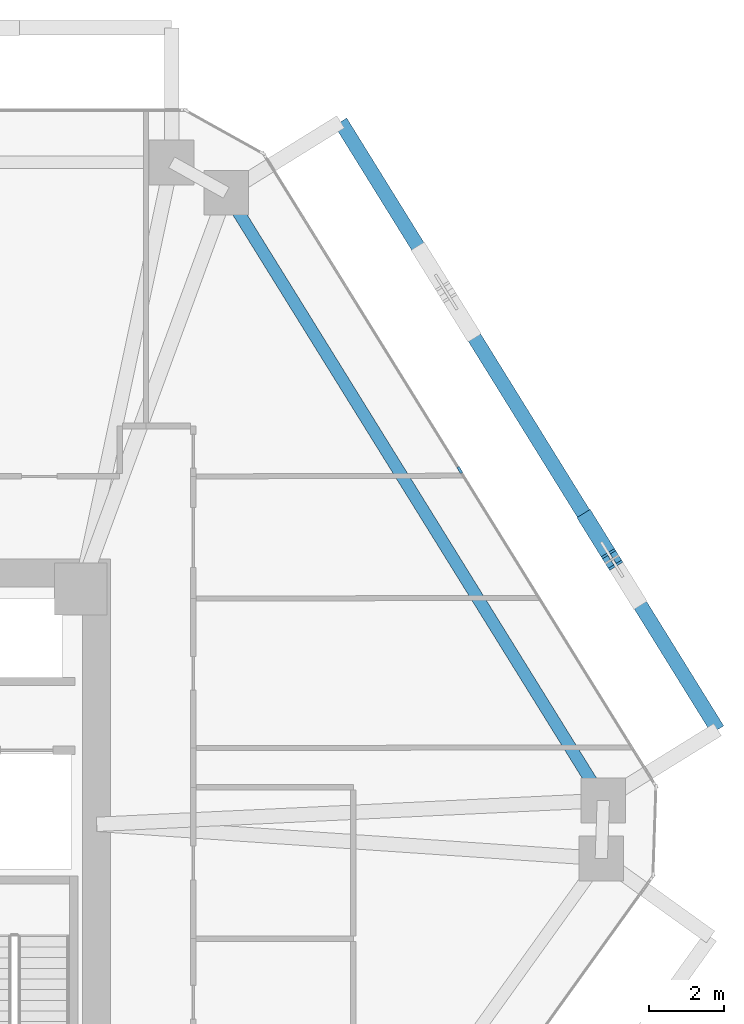
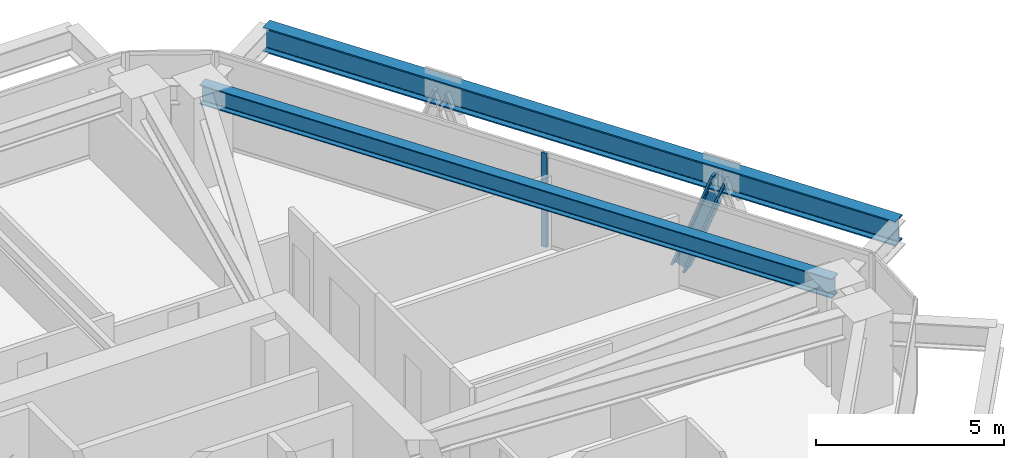
# One storey, part 6 of 16: 2 beams, 2 members, 1 element without a shape of its own.
"""IFC4 building model written with IfcOpenShell, lengths in metres."""

from ifc_helpers import new_model, si_unit, direction, frame, origin, origin_2d, place, context, subcontext, project, spatial, rectangle, i_section, extrude, source, transform, mapped, material, layer, layer_set, material_profile, profile_set, type_object, type_shapes, element, aggregate, save


model = new_model("IFC4")

# Units and contexts
model_context = context("Model", 3, precision=1e-05, world=origin(), true_north=direction((0.0, 1.0)))
body_context = subcontext(model_context, "Body", "Model", "MODEL_VIEW")
ifc_project = project(units=[si_unit("LENGTHUNIT", "METRE"), si_unit("AREAUNIT", "SQUARE_METRE"), si_unit("VOLUMEUNIT", "CUBIC_METRE"), si_unit("PLANEANGLEUNIT", "RADIAN"), si_unit("MASSUNIT", "GRAM", prefix="KILO")], contexts=[model_context])

# Site, building, storey
site_placement = place(None, origin())
site = spatial("IfcSite", under=ifc_project, at=site_placement, CompositionType="ELEMENT")
building_placement = place(site_placement, origin())
building = spatial("IfcBuilding", under=site, at=building_placement, Name="Durnholm Broadcast Tower", CompositionType="ELEMENT")
storey_placement = place(building_placement, frame((0.0, 0.0, 130.5)))
storey = spatial("IfcBuildingStorey", under=building, at=storey_placement, Name="L35", CompositionType="ELEMENT", Elevation=130.5)

# Beams
ifc_material_1 = material(Name="Steel ASTM A992 Grade 50", Category="steel")
ifc_material_profile_1 = material_profile(ifc_material_1, i_section(OverallWidth=0.3291015625, OverallDepth=0.635009765625, WebThickness=0.017822265625, FlangeThickness=0.031005859375, FilletRadius=0.02783203125, at=origin_2d()), Name="W24X162")
ifc_profile_set_1 = profile_set([ifc_material_profile_1], Name="Steel ASTM A992 Grade 50")
beam_type_1 = type_object("IfcBeamType", Name="STL-SP-W24X162", PredefinedType="SPANDREL", material=ifc_profile_set_1)
shared_shape_1 = source(origin(), body_context, "Body", "SweptSolid", [
    extrude(i_section(OverallWidth=0.3291015625, OverallDepth=0.635009765625, WebThickness=0.017822265625, FlangeThickness=0.031005859375, FilletRadius=0.02783203125, at=origin_2d()), origin(), (0.0, 0.0, 1.0), 19.139404296875),
])
type_shapes(beam_type_1, [shared_shape_1])
beam_1_placement = place(storey_placement, frame((13.692138671875, 18.4013671875, 2.7275390625), z_axis=(0.527111038734, -0.84979641847, 0.0), x_axis=(0.84979641847, 0.527111038734, 0.0)))
element("IfcBeam", 1, at=beam_1_placement, inside=storey, type_object=beam_type_1, Name="L35 perimeter spandrel girder 07", PredefinedType="SPANDREL", context=body_context, shape_type="MappedRepresentation", body=[
    mapped(shared_shape_1, transform((0.0, 0.0, 0.0), x_axis=(1.0, 0.0, 0.0), y_axis=(0.0, 1.0, 0.0), z_axis=(0.0, 0.0, 1.0), scale=1.0)),
])
ifc_material_profile_2 = material_profile(ifc_material_1, i_section(OverallWidth=0.385009765625, OverallDepth=0.802978515625, WebThickness=0.023681640625, FlangeThickness=0.0419921875, FilletRadius=0.032958984375, at=origin_2d()), Name="W30X261")
ifc_profile_set_2 = profile_set([ifc_material_profile_2], Name="Steel ASTM A992 Grade 50")
beam_type_2 = type_object("IfcBeamType", Name="BM-EXO-TIE", PredefinedType="USERDEFINED", material=ifc_profile_set_2)
shared_shape_2 = source(origin(), body_context, "Body", "SweptSolid", [
    extrude(i_section(OverallWidth=0.385009765625, OverallDepth=0.802978515625, WebThickness=0.023681640625, FlangeThickness=0.0419921875, FilletRadius=0.032958984375, at=origin_2d()), origin(), (0.0, 0.0, 1.0), 19.139404296875),
])
type_shapes(beam_type_2, [shared_shape_2])
beam_2_placement = place(storey_placement, frame((26.840087890625, 4.0341796875, 2.30859375), z_axis=(-0.527111038734, 0.84979641847, 0.0), x_axis=(-0.84979641847, -0.527111038734, 0.0)))
element("IfcBeam", 2, at=beam_2_placement, inside=storey, type_object=beam_type_2, Name="L35 exoskeleton collector spandrel F3", PredefinedType="SPANDREL", context=body_context, shape_type="MappedRepresentation", body=[
    mapped(shared_shape_2, transform((0.0, 0.0, 0.0), x_axis=(1.0, 0.0, 0.0), y_axis=(0.0, 1.0, 0.0), z_axis=(0.0, 0.0, 1.0), scale=1.0)),
])

# Member
ifc_material_2 = material(Name="Steel ASTM A913 Grade 65", Category="steel")
ifc_material_profile_3 = material_profile(ifc_material_2, i_section(OverallWidth=0.41845703125, OverallDepth=0.455078125, WebThickness=0.0419921875, FlangeThickness=0.067626953125, FilletRadius=0.030517578125, at=origin_2d()), Name="W14X370")
ifc_profile_set_3 = profile_set([ifc_material_profile_3], Name="Steel ASTM A913 Grade 65")
member_type_1 = type_object("IfcMemberType", Name="STL-DG-W14X370", PredefinedType="BRACE", material=ifc_profile_set_3)
shared_shape_3 = source(origin(), body_context, "Body", "SweptSolid", [
    extrude(i_section(OverallWidth=0.41845703125, OverallDepth=0.455078125, WebThickness=0.0419921875, FlangeThickness=0.067626953125, FilletRadius=0.030517578125, at=origin_2d()), origin(), (0.0, 0.0, 1.0), 3.523193359375),
])
type_shapes(member_type_1, [shared_shape_3])
member_1_placement = place(storey_placement, frame((23.36474609375, 9.63671875, -0.991455078125), z_axis=(0.184606642766, -0.297560406921, 0.936684681032), x_axis=(0.849750220063, 0.527185511469, 0.0)))
element("IfcMember", 3, at=member_1_placement, inside=storey, type_object=member_type_1, Name="L35 stand-off diagrid brace F3.D1.2", PredefinedType="BRACE", context=body_context, shape_type="MappedRepresentation", body=[
    mapped(shared_shape_3, transform((0.0, 0.0, 0.0), x_axis=(1.0, 0.0, 0.0), y_axis=(0.0, 1.0, 0.0), z_axis=(0.0, 0.0, 1.0), scale=1.0)),
])

# Curtain wall, member
ifc_material_3 = material(Name="Aluminium and Solar Control IGU", Category="aluminium")
ifc_layer = layer(ifc_material_3, 0.18994140625)
ifc_layer_set = layer_set([ifc_layer], Name="Aluminium and Solar Control IGU")
curtain_wall_type = type_object("IfcCurtainWallType", Name="CW-SYS-3", PredefinedType="NOTDEFINED", material=ifc_layer_set)
curtain_wall_placement = place(storey_placement, origin())
curtain_wall = element("IfcCurtainWall", 4, at=curtain_wall_placement, inside=storey, type_object=curtain_wall_type, Name="L35 curtain wall CW-Z12-VIS CW-L35-F06", PredefinedType="NOTDEFINED")
ifc_material_4 = material(Name="Aluminium 6063-T6", Category="aluminium")
ifc_material_profile_4 = material_profile(ifc_material_4, rectangle(XDim=0.070068359375, YDim=0.18994140625, at=origin_2d()), Name="CWM70X190")
ifc_profile_set_4 = profile_set([ifc_material_profile_4], Name="Aluminium 6063-T6")
member_type_2 = type_object("IfcMemberType", Name="CW-SYS-3-MUL", PredefinedType="MULLION", material=ifc_profile_set_4)
shared_shape_4 = source(origin(), body_context, "Body", "SweptSolid", [
    extrude(rectangle(XDim=0.070068359375, YDim=0.18994140625, at=origin_2d()), origin(), (0.0, 0.0, 1.0), 3.06005859375),
])
type_shapes(member_type_2, [shared_shape_4])
member_2_placement = place(storey_placement, frame((19.9423828125, 10.980712890625, 0.0), z_axis=(0.0, 0.0, 1.0), x_axis=(0.849799925229, 0.527105385176, 0.0)))
member_2 = element("IfcMember", 5, at=member_2_placement, type_object=member_type_2, Name="CW-Z12-VIS mullion 2", PredefinedType="MULLION", context=body_context, shape_type="MappedRepresentation", body=[
    mapped(shared_shape_4, transform((0.0, 0.0, 0.0), x_axis=(1.0, 0.0, 0.0), y_axis=(0.0, 1.0, 0.0), z_axis=(0.0, 0.0, 1.0), scale=1.0)),
])
aggregate(curtain_wall, [member_2])

save(model, "model.ifc")
